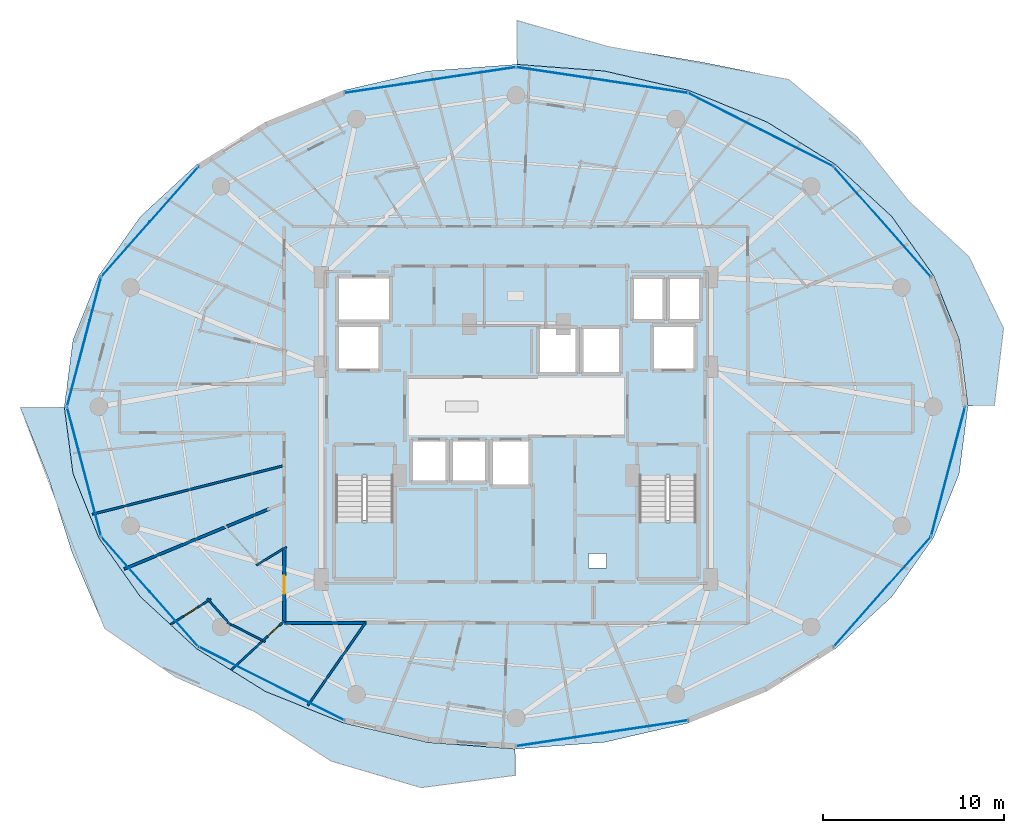
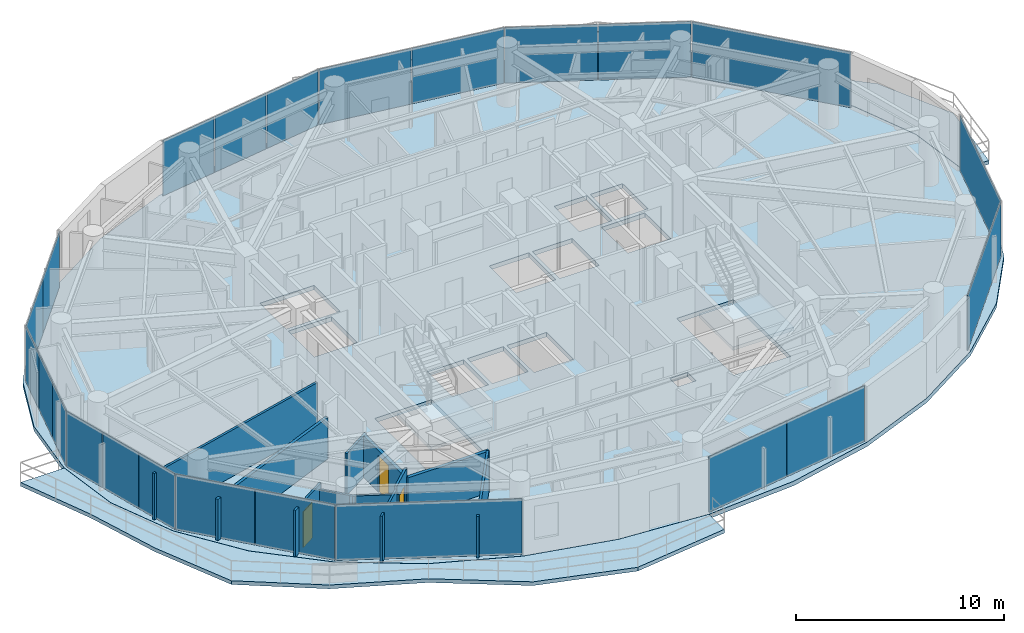
# One storey, part 19 of 28: 23 plates, 11 walls, 5 slabs, 3 doors, 3 openings, 6 elements without a shape of their own.
"""IFC4 building model written with IfcOpenShell, lengths in metres."""

from ifc_helpers import new_model, si_unit, direction, frame, frame_2d, origin, origin_2d, place, context, subcontext, project, spatial, polyline, rectangle, outline, extrude, material, layer, layer_set, type_object, element, fill, aggregate, save


model = new_model("IFC4")

# Units and contexts
model_context = context("Model", 3, precision=1e-05, world=origin(), true_north=direction((0.0, 1.0)))
body_context = subcontext(model_context, "Body", "Model", "MODEL_VIEW")
ifc_project = project(units=[si_unit("LENGTHUNIT", "METRE"), si_unit("AREAUNIT", "SQUARE_METRE"), si_unit("VOLUMEUNIT", "CUBIC_METRE"), si_unit("PLANEANGLEUNIT", "RADIAN"), si_unit("MASSUNIT", "GRAM", prefix="KILO")], contexts=[model_context])

# Site, building, storey
site_placement = place(None, origin())
site = spatial("IfcSite", under=ifc_project, at=site_placement, CompositionType="ELEMENT")
building_placement = place(site_placement, origin())
building = spatial("IfcBuilding", under=site, at=building_placement, Name="Vorneva Point Tower", CompositionType="ELEMENT")
storey_placement = place(building_placement, frame((0.0, 0.0, 139.60009765625)))
storey = spatial("IfcBuildingStorey", under=building, at=storey_placement, Name="L37", CompositionType="ELEMENT", Elevation=139.60009765625)

# Curtain wall, plates
ifc_material_1 = material(Name="Pale anodised aluminium", Category="aluminium")
curtain_wall_type = type_object("IfcCurtainWallType", Name="CW-RES-SYS", PredefinedType="NOTDEFINED", material=ifc_material_1)
curtain_wall_1_placement = place(storey_placement, origin())
curtain_wall_1 = element("IfcCurtainWall", 1, at=curtain_wall_1_placement, inside=storey, type_object=curtain_wall_type, Name="L37 Unitised Curtain Wall CW-L37-R01", PredefinedType="NOTDEFINED")
ifc_material_2 = material(Name="Double low-e laminated glass IGU", Category="glass")
ifc_layer_1 = layer(ifc_material_2, 0.035888671875)
ifc_layer_set_1 = layer_set([ifc_layer_1], Name="Double low-e laminated glass IGU")
plate_type = type_object("IfcPlateType", Name="CW-PNL-VIS", PredefinedType="CURTAIN_PANEL", material=ifc_layer_set_1)
plate_1_placement = place(storey_placement, frame((58.22412109375, 36.216796875, -0.02001953125), z_axis=(0.0, 0.0, 1.0), x_axis=(-0.662214727207, 0.749314123095, 0.0)))
plate_1 = element("IfcPlate", 2, at=plate_1_placement, type_object=plate_type, Name="CW-L37-R01 Glazed Panel 01", PredefinedType="CURTAIN_PANEL", context=body_context, shape_type="SweptSolid", body=[
    extrude(rectangle(XDim=8.068115234375, YDim=0.035888671875, at=origin_2d()), origin(), (0.0, 0.0, 1.0), 3.280029296875),
])
plate_2_placement = place(storey_placement, frame((53.52490234375, 40.2744140625, -0.02001953125), z_axis=(0.0, 0.0, 1.0), x_axis=(-0.892577949019, 0.450893119182, 0.0)))
plate_2 = element("IfcPlate", 3, at=plate_2_placement, type_object=plate_type, Name="CW-L37-R01 Glazed Panel 02A", PredefinedType="CURTAIN_PANEL", context=body_context, shape_type="SweptSolid", body=[
    extrude(rectangle(XDim=4.45703125, YDim=0.035888671875, at=origin_2d()), origin(), (0.0, 0.0, 1.0), 3.280029296875),
])
plate_3_placement = place(storey_placement, frame((49.501953125, 42.306640625, -0.02001953125), z_axis=(0.0, 0.0, 1.0), x_axis=(-0.892577949019, 0.450893119182, 0.0)))
plate_3 = element("IfcPlate", 4, at=plate_3_placement, type_object=plate_type, Name="CW-L37-R01 Glazed Panel 02B", PredefinedType="CURTAIN_PANEL", context=body_context, shape_type="SweptSolid", body=[
    extrude(rectangle(XDim=4.45703125, YDim=0.035888671875, at=origin_2d()), origin(), (0.0, 0.0, 1.0), 3.280029296875),
])
plate_4_placement = place(storey_placement, frame((45.117919921875, 43.679443359375, -0.02001953125), z_axis=(0.0, 0.0, 1.0), x_axis=(-0.988878712919, 0.148724211669, 0.0)))
plate_4 = element("IfcPlate", 5, at=plate_4_placement, type_object=plate_type, Name="CW-L37-R01 Glazed Panel 03A", PredefinedType="CURTAIN_PANEL", context=body_context, shape_type="SweptSolid", body=[
    extrude(rectangle(XDim=4.74853515625, YDim=0.035888671875, at=origin_2d()), origin(), (0.0, 0.0, 1.0), 3.280029296875),
])
plate_5_placement = place(storey_placement, frame((40.37255859375, 44.393310546875, -0.02001953125), z_axis=(0.0, 0.0, 1.0), x_axis=(-0.988878712919, 0.148724211669, 0.0)))
plate_5 = element("IfcPlate", 6, at=plate_5_placement, type_object=plate_type, Name="CW-L37-R01 Glazed Panel 03B", PredefinedType="CURTAIN_PANEL", context=body_context, shape_type="SweptSolid", body=[
    extrude(rectangle(XDim=4.74853515625, YDim=0.035888671875, at=origin_2d()), origin(), (0.0, 0.0, 1.0), 3.280029296875),
])
plate_6_placement = place(storey_placement, frame((36.418212890625, 44.51220703125, -0.02001953125), z_axis=(0.0, 0.0, 1.0), x_axis=(-0.988878712919, -0.148724211669, 0.0)))
plate_6 = element("IfcPlate", 7, at=plate_6_placement, type_object=plate_type, Name="CW-L37-R01 Glazed Panel 04A", PredefinedType="CURTAIN_PANEL", context=body_context, shape_type="SweptSolid", body=[
    extrude(rectangle(XDim=3.149169921875, YDim=0.035888671875, at=origin_2d()), origin(), (0.0, 0.0, 1.0), 3.280029296875),
])
plate_7_placement = place(storey_placement, frame((33.2548828125, 44.036376953125, -0.02001953125), z_axis=(0.0, 0.0, 1.0), x_axis=(-0.988878712919, -0.148724211669, 0.0)))
plate_7 = element("IfcPlate", 8, at=plate_7_placement, type_object=plate_type, Name="CW-L37-R01 Glazed Panel 04B", PredefinedType="CURTAIN_PANEL", context=body_context, shape_type="SweptSolid", body=[
    extrude(rectangle(XDim=3.149169921875, YDim=0.035888671875, at=origin_2d()), origin(), (0.0, 0.0, 1.0), 3.280029296875),
])
plate_8_placement = place(storey_placement, frame((30.09130859375, 43.560546875, -0.02001953125), z_axis=(0.0, 0.0, 1.0), x_axis=(-0.988878712919, -0.148724211669, 0.0)))
plate_8 = element("IfcPlate", 9, at=plate_8_placement, type_object=plate_type, Name="CW-L37-R01 Glazed Panel 04C", PredefinedType="CURTAIN_PANEL", context=body_context, shape_type="SweptSolid", body=[
    extrude(rectangle(XDim=3.149169921875, YDim=0.035888671875, at=origin_2d()), origin(), (0.0, 0.0, 1.0), 3.280029296875),
])
aggregate(curtain_wall_1, [plate_1, plate_2, plate_3, plate_4, plate_5, plate_6, plate_7, plate_8])

curtain_wall_2_placement = place(storey_placement, origin())
curtain_wall_2 = element("IfcCurtainWall", 10, at=curtain_wall_2_placement, inside=storey, type_object=curtain_wall_type, Name="L37 Unitised Curtain Wall CW-L37-R02", PredefinedType="NOTDEFINED")
plate_9_placement = place(storey_placement, frame((19.119873046875, 37.737548828125, -0.02001953125), z_axis=(0.0, 0.0, 1.0), x_axis=(-0.662214727207, -0.749314123095, 0.0)))
plate_9 = element("IfcPlate", 11, at=plate_9_placement, type_object=plate_type, Name="CW-L37-R02 Glazed Panel 01A", PredefinedType="CURTAIN_PANEL", context=body_context, shape_type="SweptSolid", body=[
    extrude(rectangle(XDim=4.009033203125, YDim=0.035888671875, at=origin_2d()), origin(), (0.0, 0.0, 1.0), 3.280029296875),
])
plate_10_placement = place(storey_placement, frame((16.431884765625, 34.696044921875, -0.02001953125), z_axis=(0.0, 0.0, 1.0), x_axis=(-0.662214727207, -0.749314123095, 0.0)))
plate_10 = element("IfcPlate", 12, at=plate_10_placement, type_object=plate_type, Name="CW-L37-R02 Glazed Panel 01B", PredefinedType="CURTAIN_PANEL", context=body_context, shape_type="SweptSolid", body=[
    extrude(rectangle(XDim=4.009033203125, YDim=0.035888671875, at=origin_2d()), origin(), (0.0, 0.0, 1.0), 3.280029296875),
])
plate_11_placement = place(storey_placement, frame((14.773193359375, 31.9794921875, -0.02001953125), z_axis=(0.0, 0.0, 1.0), x_axis=(-0.254433162972, -0.967090360608, 0.0)))
plate_11 = element("IfcPlate", 13, at=plate_11_placement, type_object=plate_type, Name="CW-L37-R02 Glazed Panel 02A", PredefinedType="CURTAIN_PANEL", context=body_context, shape_type="SweptSolid", body=[
    extrude(rectangle(XDim=2.423095703125, YDim=0.035888671875, at=origin_2d()), origin(), (0.0, 0.0, 1.0), 3.280029296875),
])
plate_12_placement = place(storey_placement, frame((14.143798828125, 29.587646484375, -0.02001953125), z_axis=(0.0, 0.0, 1.0), x_axis=(-0.254433162972, -0.967090360608, 0.0)))
plate_12 = element("IfcPlate", 14, at=plate_12_placement, type_object=plate_type, Name="CW-L37-R02 Glazed Panel 02B", PredefinedType="CURTAIN_PANEL", context=body_context, shape_type="SweptSolid", body=[
    extrude(rectangle(XDim=2.423095703125, YDim=0.035888671875, at=origin_2d()), origin(), (0.0, 0.0, 1.0), 3.280029296875),
])
plate_13_placement = place(storey_placement, frame((13.5146484375, 27.19580078125, -0.02001953125), z_axis=(0.0, 0.0, 1.0), x_axis=(-0.254433162972, -0.967090360608, 0.0)))
plate_13 = element("IfcPlate", 15, at=plate_13_placement, type_object=plate_type, Name="CW-L37-R02 Glazed Panel 02C", PredefinedType="CURTAIN_PANEL", context=body_context, shape_type="SweptSolid", body=[
    extrude(rectangle(XDim=2.423095703125, YDim=0.035888671875, at=origin_2d()), origin(), (0.0, 0.0, 1.0), 3.280029296875),
])
plate_14_placement = place(storey_placement, frame((13.5146484375, 24.80419921875, -0.02001953125), z_axis=(0.0, 0.0, 1.0), x_axis=(0.254433162972, -0.967090360608, 0.0)))
plate_14 = element("IfcPlate", 16, at=plate_14_placement, type_object=plate_type, Name="CW-L37-R02 Glazed Panel 03A", PredefinedType="CURTAIN_PANEL", context=body_context, shape_type="SweptSolid", body=[
    extrude(rectangle(XDim=2.423095703125, YDim=0.035888671875, at=origin_2d()), origin(), (0.0, 0.0, 1.0), 3.280029296875),
])
plate_15_placement = place(storey_placement, frame((14.143798828125, 22.412353515625, -0.02001953125), z_axis=(0.0, 0.0, 1.0), x_axis=(0.254433162972, -0.967090360608, 0.0)))
plate_15 = element("IfcPlate", 17, at=plate_15_placement, type_object=plate_type, Name="CW-L37-R02 Glazed Panel 03B", PredefinedType="CURTAIN_PANEL", context=body_context, shape_type="SweptSolid", body=[
    extrude(rectangle(XDim=2.423095703125, YDim=0.035888671875, at=origin_2d()), origin(), (0.0, 0.0, 1.0), 3.280029296875),
])
plate_16_placement = place(storey_placement, frame((14.773193359375, 20.0205078125, -0.02001953125), z_axis=(0.0, 0.0, 1.0), x_axis=(0.254433162972, -0.967090360608, 0.0)))
plate_16 = element("IfcPlate", 18, at=plate_16_placement, type_object=plate_type, Name="CW-L37-R02 Glazed Panel 03C", PredefinedType="CURTAIN_PANEL", context=body_context, shape_type="SweptSolid", body=[
    extrude(rectangle(XDim=2.423095703125, YDim=0.035888671875, at=origin_2d()), origin(), (0.0, 0.0, 1.0), 3.280029296875),
])
plate_17_placement = place(storey_placement, frame((16.431884765625, 17.303955078125, -0.02001953125), z_axis=(0.0, 0.0, 1.0), x_axis=(0.662214727207, -0.749314123095, 0.0)))
plate_17 = element("IfcPlate", 19, at=plate_17_placement, type_object=plate_type, Name="CW-L37-R02 Glazed Panel 04A", PredefinedType="CURTAIN_PANEL", context=body_context, shape_type="SweptSolid", body=[
    extrude(rectangle(XDim=4.009033203125, YDim=0.035888671875, at=origin_2d()), origin(), (0.0, 0.0, 1.0), 3.280029296875),
])
plate_18_placement = place(storey_placement, frame((19.119873046875, 14.262451171875, -0.02001953125), z_axis=(0.0, 0.0, 1.0), x_axis=(0.662214727207, -0.749314123095, 0.0)))
plate_18 = element("IfcPlate", 20, at=plate_18_placement, type_object=plate_type, Name="CW-L37-R02 Glazed Panel 04B", PredefinedType="CURTAIN_PANEL", context=body_context, shape_type="SweptSolid", body=[
    extrude(rectangle(XDim=4.009033203125, YDim=0.035888671875, at=origin_2d()), origin(), (0.0, 0.0, 1.0), 3.280029296875),
])
plate_19_placement = place(storey_placement, frame((24.486572265625, 10.70947265625, -0.02001953125), z_axis=(0.0, 0.0, 1.0), x_axis=(0.892577949019, -0.450893119182, 0.0)))
plate_19 = element("IfcPlate", 21, at=plate_19_placement, type_object=plate_type, Name="CW-L37-R02 Glazed Panel 05", PredefinedType="CURTAIN_PANEL", context=body_context, shape_type="SweptSolid", body=[
    extrude(rectangle(XDim=8.964111328125, YDim=0.035888671875, at=origin_2d()), origin(), (0.0, 0.0, 1.0), 3.280029296875),
])
aggregate(curtain_wall_2, [plate_9, plate_10, plate_11, plate_12, plate_13, plate_14, plate_15, plate_16, plate_17, plate_18, plate_19])

curtain_wall_3_placement = place(storey_placement, origin())
curtain_wall_3 = element("IfcCurtainWall", 22, at=curtain_wall_3_placement, inside=storey, type_object=curtain_wall_type, Name="L37 Unitised Curtain Wall CW-L37-R03", PredefinedType="NOTDEFINED")
plate_20_placement = place(storey_placement, frame((40.37255859375, 7.606689453125, -0.02001953125), z_axis=(0.0, 0.0, 1.0), x_axis=(0.988878712919, 0.148724211669, 0.0)))
plate_20 = element("IfcPlate", 23, at=plate_20_placement, type_object=plate_type, Name="CW-L37-R03 Glazed Panel 01A", PredefinedType="CURTAIN_PANEL", context=body_context, shape_type="SweptSolid", body=[
    extrude(rectangle(XDim=4.74853515625, YDim=0.035888671875, at=origin_2d()), origin(), (0.0, 0.0, 1.0), 3.280029296875),
])
plate_21_placement = place(storey_placement, frame((45.117919921875, 8.320556640625, -0.02001953125), z_axis=(0.0, 0.0, 1.0), x_axis=(0.988878712919, 0.148724211669, 0.0)))
plate_21 = element("IfcPlate", 24, at=plate_21_placement, type_object=plate_type, Name="CW-L37-R03 Glazed Panel 01B", PredefinedType="CURTAIN_PANEL", context=body_context, shape_type="SweptSolid", body=[
    extrude(rectangle(XDim=4.74853515625, YDim=0.035888671875, at=origin_2d()), origin(), (0.0, 0.0, 1.0), 3.280029296875),
])
aggregate(curtain_wall_3, [plate_20, plate_21])

curtain_wall_4_placement = place(storey_placement, origin())
curtain_wall_4 = element("IfcCurtainWall", 25, at=curtain_wall_4_placement, inside=storey, type_object=curtain_wall_type, Name="L37 Unitised Curtain Wall CW-L37-R04", PredefinedType="NOTDEFINED")
plate_22_placement = place(storey_placement, frame((58.22412109375, 15.783203125, -0.02001953125), z_axis=(0.0, 0.0, 1.0), x_axis=(0.662214727207, 0.749314123095, 0.0)))
plate_22 = element("IfcPlate", 26, at=plate_22_placement, type_object=plate_type, Name="CW-L37-R04 Glazed Panel 01", PredefinedType="CURTAIN_PANEL", context=body_context, shape_type="SweptSolid", body=[
    extrude(rectangle(XDim=8.068115234375, YDim=0.035888671875, at=origin_2d()), origin(), (0.0, 0.0, 1.0), 3.280029296875),
])
plate_23_placement = place(storey_placement, frame((61.856201171875, 22.412353515625, -0.02001953125), z_axis=(0.0, 0.0, 1.0), x_axis=(0.254433162972, 0.967090360608, 0.0)))
plate_23 = element("IfcPlate", 27, at=plate_23_placement, type_object=plate_type, Name="CW-L37-R04 Glazed Panel 02", PredefinedType="CURTAIN_PANEL", context=body_context, shape_type="SweptSolid", body=[
    extrude(rectangle(XDim=7.369384765625, YDim=0.035888671875, at=origin_2d()), origin(), (0.0, 0.0, 1.0), 3.280029296875),
])
aggregate(curtain_wall_4, [plate_22, plate_23])

# Slabs
ifc_material_3 = material(Name="Concrete B50 (C40/50)", Category="concrete")
ifc_layer_2 = layer(ifc_material_3, 0.219970703125)
ifc_layer_set_2 = layer_set([ifc_layer_2], Name="Concrete B50 (C40/50)")
slab_type_1 = type_object("IfcSlabType", Name="SLB-BAL-220", PredefinedType="FLOOR", material=ifc_layer_set_2)
slab_1_placement = place(storey_placement, frame((0.0, 0.0, -0.22021484375)))
element("IfcSlab", 28, at=slab_1_placement, inside=storey, type_object=slab_type_1, Name="L37 Cantilevered Wave Balcony NE", PredefinedType="FLOOR", context=body_context, shape_type="SweptSolid", body=[
    extrude(outline(polyline([(38.050048828125, 47.33056640625), (38.050048828125, 44.900390625), (42.867919921875, 44.540771484375), (42.8681640625, 44.540771484375), (42.868408203125, 44.540771484375), (47.548828125, 43.465087890625), (47.54931640625, 43.465087890625), (47.549560546875, 43.465087890625), (51.863037109375, 41.718505859375), (51.86328125, 41.718505859375), (51.863525390625, 41.71826171875), (55.644287109375, 39.36767578125), (55.644775390625, 39.367431640625), (55.64501953125, 39.3671875), (58.747802734375, 36.503173828125), (58.748291015625, 36.5029296875), (58.74853515625, 36.502685546875), (61.05419921875, 33.235107421875), (61.05419921875, 33.234619140625), (61.054443359375, 33.234130859375), (62.474365234375, 29.688720703125), (62.474365234375, 29.6884765625), (62.474609375, 29.68798828125), (62.474609375, 29.687744140625), (62.947509765625, 26.050048828125), (64.410888671875, 26.050048828125), (64.919677734375, 30.330322265625), (62.996826171875, 34.296875), (59.692626953125, 37.336181640625), (56.81982421875, 40.918701171875), (53.052001953125, 44.067138671875), (48.051513671875, 45.06640625), (43.0712890625, 45.889404296875), (38.050048828125, 47.33056640625)])), origin(), (0.0, 0.0, 1.0), 0.22021484375),
])
slab_2_placement = place(storey_placement, frame((0.0, 0.0, -0.22021484375)))
element("IfcSlab", 29, at=slab_2_placement, inside=storey, type_object=slab_type_1, Name="L37 Cantilevered Wave Balcony SW", PredefinedType="FLOOR", context=body_context, shape_type="SweptSolid", body=[
    extrude(outline(polyline([(37.949951171875, 5.638427734375), (37.949951171875, 7.099609375), (33.132080078125, 7.459228515625), (33.1318359375, 7.459228515625), (33.131591796875, 7.459228515625), (28.451171875, 8.534912109375), (28.45068359375, 8.534912109375), (28.450439453125, 8.534912109375), (24.136962890625, 10.281494140625), (24.13671875, 10.281494140625), (24.136474609375, 10.28173828125), (20.355712890625, 12.63232421875), (20.355224609375, 12.632568359375), (20.35498046875, 12.6328125), (17.252197265625, 15.496826171875), (17.251708984375, 15.4970703125), (17.25146484375, 15.497314453125), (14.94580078125, 18.764892578125), (14.94580078125, 18.765380859375), (14.945556640625, 18.765869140625), (13.525634765625, 22.311279296875), (13.525634765625, 22.3115234375), (13.525390625, 22.31201171875), (13.525390625, 22.312255859375), (13.052490234375, 25.949951171875), (10.624755859375, 25.949951171875), (12.206298828125, 21.96533203125), (13.473388671875, 17.960205078125), (15.277587890625, 13.755615234375), (19.18017578125, 11.081298828125), (23.56787109375, 9.157958984375), (27.7880859375, 6.422607421875), (32.755126953125, 4.95947265625), (37.949951171875, 5.638427734375)])), origin(), (0.0, 0.0, 1.0), 0.22021484375),
])

# Stair, slab
stair_type = type_object("IfcStairType", Name="ST-DOG-1500", PredefinedType="HALF_TURN_STAIR", material=ifc_material_3)
stair_1_placement = place(storey_placement, origin())
stair_1 = element("IfcStair", 30, at=stair_1_placement, inside=storey, type_object=stair_type, Name="L37 ST1", PredefinedType="HALF_TURN_STAIR")
ifc_layer_3 = layer(ifc_material_3, 0.199951171875)
ifc_layer_set_3 = layer_set([ifc_layer_3], Name="Concrete B50 (C40/50)")
slab_type_2 = type_object("IfcSlabType", Name="SLB-LND-200", PredefinedType="LANDING", material=ifc_layer_set_3)
slab_3_placement = place(storey_placement, frame((0.0, 0.0, 1.5498046875)))
slab_3 = element("IfcSlab", 31, at=slab_3_placement, type_object=slab_type_2, Name="ST1 landing 1", PredefinedType="LANDING", context=body_context, shape_type="SweptSolid", body=[
    extrude(outline(polyline([(27.929931640625, 16.47998046875), (31.320068359375, 16.47998046875), (31.320068359375, 19.72998046875), (27.929931640625, 19.72998046875), (27.929931640625, 16.47998046875)])), origin(), (0.0, 0.0, 1.0), 0.2001953125),
])
aggregate(stair_1, [slab_3])

stair_2_placement = place(storey_placement, origin())
stair_2 = element("IfcStair", 32, at=stair_2_placement, inside=storey, type_object=stair_type, Name="L37 ST2", PredefinedType="HALF_TURN_STAIR")
slab_4_placement = place(storey_placement, frame((0.0, 0.0, 1.5498046875)))
slab_4 = element("IfcSlab", 33, at=slab_4_placement, type_object=slab_type_2, Name="ST2 landing 1", PredefinedType="LANDING", context=body_context, shape_type="SweptSolid", body=[
    extrude(outline(polyline([(44.679931640625, 16.47998046875), (48.070068359375, 16.47998046875), (48.070068359375, 19.72998046875), (44.679931640625, 19.72998046875), (44.679931640625, 16.47998046875)])), origin(), (0.0, 0.0, 1.0), 0.2001953125),
])
aggregate(stair_2, [slab_4])

# Slab
ifc_layer_4 = layer(ifc_material_3, 0.260009765625)
ifc_layer_set_4 = layer_set([ifc_layer_4], Name="Concrete B50 (C40/50)")
slab_type_3 = type_object("IfcSlabType", Name="SLB-TYP-260", PredefinedType="FLOOR", material=ifc_layer_set_4)
slab_5_placement = place(storey_placement, frame((0.0, 0.0, -0.260009765625)))
element("IfcSlab", 34, at=slab_5_placement, inside=storey, type_object=slab_type_3, Name="L37 Structural Floor Plate", PredefinedType="FLOOR", context=body_context, shape_type="SweptSolid", body=[
    extrude(outline(polyline([(62.949951171875, 26.0), (62.470703125, 29.687255859375), (61.05078125, 33.232666015625), (58.7451171875, 36.500244140625), (55.642333984375, 39.3642578125), (51.861572265625, 41.71484375), (47.548095703125, 43.461181640625), (42.867431640625, 44.536865234375), (38.0, 44.89990234375), (33.132568359375, 44.536865234375), (28.451904296875, 43.461181640625), (24.138427734375, 41.71484375), (20.357666015625, 39.3642578125), (17.2548828125, 36.500244140625), (14.94921875, 33.232666015625), (13.529296875, 29.687255859375), (13.050048828125, 26.0), (13.529296875, 22.312744140625), (14.94921875, 18.767333984375), (17.2548828125, 15.499755859375), (20.357666015625, 12.6357421875), (24.138427734375, 10.28515625), (28.451904296875, 8.538818359375), (33.132568359375, 7.463134765625), (38.0, 7.10009765625), (42.867431640625, 7.463134765625), (47.548095703125, 8.538818359375), (51.861572265625, 10.28515625), (55.642333984375, 12.6357421875), (58.7451171875, 15.499755859375), (61.05078125, 18.767333984375), (62.470703125, 22.312744140625), (62.949951171875, 26.0)]), holes=[polyline([(32.199951171875, 21.800048828125), (34.199951171875, 21.800048828125), (34.199951171875, 24.199951171875), (32.199951171875, 24.199951171875), (32.199951171875, 21.800048828125)]), polyline([(34.39990234375, 21.800048828125), (36.39990234375, 21.800048828125), (36.39990234375, 24.199951171875), (34.39990234375, 24.199951171875), (34.39990234375, 21.800048828125)]), polyline([(36.60009765625, 21.60009765625), (38.800048828125, 21.60009765625), (38.800048828125, 24.199951171875), (36.60009765625, 24.199951171875), (36.60009765625, 21.60009765625)]), polyline([(39.199951171875, 27.800048828125), (41.39990234375, 27.800048828125), (41.39990234375, 30.39990234375), (39.199951171875, 30.39990234375), (39.199951171875, 27.800048828125)]), polyline([(41.60009765625, 27.800048828125), (43.800048828125, 27.800048828125), (43.800048828125, 30.39990234375), (41.60009765625, 30.39990234375), (41.60009765625, 27.800048828125)]), polyline([(44.39990234375, 30.739990234375), (46.199951171875, 30.739990234375), (46.199951171875, 33.159912109375), (44.39990234375, 33.159912109375), (44.39990234375, 30.739990234375)]), polyline([(46.39990234375, 30.739990234375), (48.199951171875, 30.739990234375), (48.199951171875, 33.159912109375), (46.39990234375, 33.159912109375), (46.39990234375, 30.739990234375)]), polyline([(28.10009765625, 28.0), (30.5, 28.0), (30.5, 30.5), (28.10009765625, 30.5), (28.10009765625, 28.0)]), polyline([(45.5, 28.0), (47.89990234375, 28.0), (47.89990234375, 30.5), (45.5, 30.5), (45.5, 28.0)]), polyline([(28.10009765625, 30.699951171875), (31.10009765625, 30.699951171875), (31.10009765625, 33.199951171875), (28.10009765625, 33.199951171875), (28.10009765625, 30.699951171875)]), polyline([(28.050048828125, 16.60009765625), (31.199951171875, 16.60009765625), (31.199951171875, 22.080078125), (28.050048828125, 22.080078125), (28.050048828125, 16.60009765625)]), polyline([(44.800048828125, 16.60009765625), (47.949951171875, 16.60009765625), (47.949951171875, 22.080078125), (44.800048828125, 22.080078125), (44.800048828125, 16.60009765625)]), polyline([(42.0, 17.10009765625), (43.0, 17.10009765625), (43.0, 17.89990234375), (42.0, 17.89990234375), (42.0, 17.10009765625)])]), origin(), (0.0, 0.0, 1.0), 0.260009765625),
])

# Walls
ifc_material_4 = material(Name="Fire-rated acoustic gypsum stud partition", Category="gypsum")
ifc_layer_5 = layer(ifc_material_4, 0.110107421875)
ifc_layer_set_5 = layer_set([ifc_layer_5], Name="Fire-rated acoustic gypsum stud partition")
wall_type_1 = type_object("IfcWallType", Name="WL-PART-110", PredefinedType="PARTITIONING", material=ifc_layer_set_5)
wall_1_placement = place(storey_placement, frame((25.319580078125, 18.257080078125, 0.0), z_axis=(0.0, 0.0, 1.0), x_axis=(-0.853368681548, -0.52130786811, 0.0)))
element("IfcWall", 35, at=wall_1_placement, inside=storey, type_object=wall_type_1, Name="L37 Interior Partition 117", PredefinedType="PARTITIONING", context=body_context, shape_type="SweptSolid", body=[
    extrude(rectangle(XDim=1.9453125, YDim=0.110107421875, at=frame_2d((0.97265625, 0.0))), origin(), (0.0, 0.0, 1.0), 2.431884765625),
])
wall_2_placement = place(storey_placement, frame((20.935302734375, 15.408935546875, 0.0), z_axis=(0.0, 0.0, 1.0), x_axis=(0.66216897397, -0.749354555542, 0.0)))
element("IfcWall", 36, at=wall_2_placement, inside=storey, type_object=wall_type_1, Name="L37 Interior Partition 119", PredefinedType="PARTITIONING", context=body_context, shape_type="SweptSolid", body=[
    extrude(rectangle(XDim=1.990966796875, YDim=0.110107421875, at=frame_2d((0.99560546875, 0.0))), origin(), (0.0, 0.0, 1.0), 2.431884765625),
])
wall_3_placement = place(storey_placement, frame((22.0361328125, 14.085205078125, 0.0), z_axis=(0.0, 0.0, 1.0), x_axis=(0.892312874209, -0.451417472548, 0.0)))
element("IfcWall", 37, at=wall_3_placement, inside=storey, type_object=wall_type_1, Name="L37 Interior Partition 120", PredefinedType="PARTITIONING", context=body_context, shape_type="SweptSolid", body=[
    extrude(rectangle(XDim=2.36669921875, YDim=0.110107421875, at=frame_2d((1.183349609375, 0.0))), origin(), (0.0, 0.0, 1.0), 2.431884765625),
])

# Wall, opening, door
wall_4_placement = place(storey_placement, frame((18.924560546875, 13.978515625, 0.0), z_axis=(0.0, 0.0, 1.0), x_axis=(0.846034075758, 0.533128823697, 0.0)))
wall_4 = element("IfcWall", 38, at=wall_4_placement, inside=storey, type_object=wall_type_1, Name="L37 Interior Partition 121", PredefinedType="PARTITIONING", context=body_context, shape_type="SweptSolid", body=[
    extrude(rectangle(XDim=2.626220703125, YDim=0.110107421875, at=frame_2d((1.31298828125, 0.0))), origin(), (0.0, 0.0, 1.0), 2.727783203125),
])
opening_1_placement = place(wall_4_placement, frame((0.863037109375, 0.0, 0.0)))
opening_1 = element("IfcOpeningElement", 39, at=opening_1_placement, cuts=wall_4, Name="Opening ID-01", PredefinedType="OPENING", context=body_context, shape_type="SweptSolid", body=[
    extrude(rectangle(XDim=0.89990234375, YDim=2.10009765625, at=frame_2d((0.449951171875, 1.050048828125))), frame((0.0, 0.06982421875, 0.0), z_axis=(0.0, -1.0, 0.0), x_axis=(1.0, 0.0, 0.0)), (0.0, 0.0, 1.0), 0.139892578125),
])
ifc_material_5 = material(Name="Engineered oak fire-rated door leaf", Category="wood")
door_type_1 = type_object("IfcDoorType", Name="DR-ROOM-900", OperationType="NOTDEFINED", PredefinedType="DOOR", material=ifc_material_5)
door_1_placement = place(opening_1_placement, origin())
door_1 = element("IfcDoor", 40, at=door_1_placement, inside=storey, type_object=door_type_1, Name="L37 Door Living and Dining Room L37-05 / Kitchen L37-05", OperationType="SINGLE_SWING_RIGHT", OverallHeight=2.10009765625, OverallWidth=0.89990234375, PredefinedType="DOOR", context=body_context, shape_type="SweptSolid", body=[
    extrude(rectangle(XDim=0.89990234375, YDim=2.10009765625, at=frame_2d((0.449951171875, 1.050048828125))), frame((0.0, 0.02490234375, 0.0), z_axis=(0.0, -1.0, 0.0), x_axis=(1.0, 0.0, 0.0)), (0.0, 0.0, 1.0), 0.050048828125),
])
fill(opening_1, door_1)

# Walls
wall_5_placement = place(storey_placement, frame((22.273193359375, 11.462890625, 0.0), z_axis=(0.0, 0.0, 1.0), x_axis=(0.73438401738, 0.678734200565, 0.0)))
element("IfcWall", 41, at=wall_5_placement, inside=storey, type_object=wall_type_1, Name="L37 Interior Partition 123", PredefinedType="PARTITIONING", context=body_context, shape_type="SweptSolid", body=[
    extrude(rectangle(XDim=2.5224609375, YDim=0.110107421875, at=frame_2d((1.26123046875, 0.0))), origin(), (0.0, 0.0, 1.0), 2.727783203125),
])
ifc_layer_6 = layer(ifc_material_4, 0.125)
ifc_layer_set_6 = layer_set([ifc_layer_6], Name="Fire-rated acoustic gypsum stud partition")
wall_type_2 = type_object("IfcWallType", Name="WL-PART-125", PredefinedType="PARTITIONING", material=ifc_layer_set_6)
wall_6_placement = place(storey_placement, frame((14.594970703125, 20.055908203125, 0.0), z_axis=(0.0, 0.0, 1.0), x_axis=(0.969235416515, 0.246135546747, 0.0)))
element("IfcWall", 42, at=wall_6_placement, inside=storey, type_object=wall_type_2, Name="L37 Interior Partition 114", PredefinedType="PARTITIONING", context=body_context, shape_type="SweptSolid", body=[
    extrude(rectangle(XDim=10.941650390625, YDim=0.125, at=frame_2d((5.470703125, 0.0))), origin(), (0.0, 0.0, 1.0), 2.727783203125),
])

# Wall, opening, door
wall_7_placement = place(storey_placement, frame((24.02294921875, 13.080078125, 0.0), z_axis=(0.0, 0.0, 1.0), x_axis=(0.734359451791, 0.678760779336, 0.0)))
wall_7 = element("IfcWall", 43, at=wall_7_placement, inside=storey, type_object=wall_type_2, Name="L37 Interior Partition 122", PredefinedType="PARTITIONING", context=body_context, shape_type="SweptSolid", body=[
    extrude(rectangle(XDim=1.602783203125, YDim=0.125, at=frame_2d((0.80126953125, 0.0))), origin(), (0.0, 0.0, 1.0), 2.921875),
])
opening_2_placement = place(wall_7_placement, frame((0.351318359375, 0.0, 0.0)))
opening_2 = element("IfcOpeningElement", 44, at=opening_2_placement, cuts=wall_7, Name="Opening ID-01", PredefinedType="OPENING", context=body_context, shape_type="SweptSolid", body=[
    extrude(rectangle(XDim=0.89990234375, YDim=2.10009765625, at=frame_2d((0.449951171875, 1.050048828125))), frame((0.0, 0.077392578125, 0.0), z_axis=(0.0, -1.0, 0.0), x_axis=(1.0, 0.0, 0.0)), (0.0, 0.0, 1.0), 0.15478515625),
])
door_2_placement = place(opening_2_placement, origin())
door_2 = element("IfcDoor", 45, at=door_2_placement, inside=storey, type_object=door_type_1, Name="L37 Door Living and Dining Room L37-05 / Master Bedroom L37-05.1", OperationType="SINGLE_SWING_LEFT", OverallHeight=2.10009765625, OverallWidth=0.89990234375, PredefinedType="DOOR", context=body_context, shape_type="SweptSolid", body=[
    extrude(rectangle(XDim=0.89990234375, YDim=2.10009765625, at=frame_2d((0.449951171875, 1.050048828125))), frame((0.0, 0.02490234375, 0.0), z_axis=(0.0, -1.0, 0.0), x_axis=(1.0, 0.0, 0.0)), (0.0, 0.0, 1.0), 0.050048828125),
])
fill(opening_2, door_2)

# Walls
wall_8_placement = place(storey_placement, frame((26.4951171875, 9.492919921875, 0.0), z_axis=(0.0, 0.0, 1.0), x_axis=(0.571744252323, 0.820431904509, 0.0)))
element("IfcWall", 46, at=wall_8_placement, inside=storey, type_object=wall_type_2, Name="L37 Interior Partition 124", PredefinedType="PARTITIONING", context=body_context, shape_type="SweptSolid", body=[
    extrude(rectangle(XDim=5.554443359375, YDim=0.125, at=frame_2d((2.77734375, 0.0))), origin(), (0.0, 0.0, 1.0), 2.431884765625),
])
ifc_layer_7 = layer(ifc_material_4, 0.159912109375)
ifc_layer_set_7 = layer_set([ifc_layer_7], Name="Fire-rated acoustic gypsum stud partition")
wall_type_3 = type_object("IfcWallType", Name="WL-PART-160", PredefinedType="PARTITIONING", material=ifc_layer_set_7)
wall_9_placement = place(storey_placement, frame((16.35498046875, 17.034912109375, 0.0), z_axis=(0.0, 0.0, 1.0), x_axis=(0.923885339237, 0.382669413387, 0.0)))
element("IfcWall", 47, at=wall_9_placement, inside=storey, type_object=wall_type_3, Name="L37 Interior Partition 115", PredefinedType="PARTITIONING", context=body_context, shape_type="SweptSolid", body=[
    extrude(rectangle(XDim=8.689453125, YDim=0.159912109375, at=frame_2d((4.3447265625, 0.0))), origin(), (0.0, 0.0, 1.0), 2.431884765625),
])

# Wall, opening, door
ifc_material_6 = material(Name="Autoclaved aerated concrete blockwork", Category="masonry")
ifc_layer_8 = layer(ifc_material_6, 0.179931640625)
ifc_layer_set_8 = layer_set([ifc_layer_8], Name="Autoclaved aerated concrete blockwork")
wall_type_4 = type_object("IfcWallType", Name="WL-PART-180", PredefinedType="PARTITIONING", material=ifc_layer_set_8)
wall_10_placement = place(storey_placement, frame((25.199951171875, 18.243896484375, 0.0), z_axis=(0.0, 0.0, 1.0), x_axis=(0.0, -1.0, 0.0)))
wall_10 = element("IfcWall", 48, at=wall_10_placement, inside=storey, type_object=wall_type_4, Name="L37 Interior Partition 054", PredefinedType="PARTITIONING", context=body_context, shape_type="SweptSolid", body=[
    extrude(rectangle(XDim=4.157958984375, YDim=0.179931640625, at=frame_2d((2.0791015625, 0.0))), origin(), (0.0, 0.0, 1.0), 2.431884765625),
])
opening_3_placement = place(wall_10_placement, frame((1.5791015625, 0.0, 0.0)))
opening_3 = element("IfcOpeningElement", 49, at=opening_3_placement, cuts=wall_10, Name="Opening UD-01", PredefinedType="OPENING", context=body_context, shape_type="SweptSolid", body=[
    extrude(rectangle(XDim=1.0, YDim=2.14990234375, at=frame_2d((0.5, 1.074951171875))), frame((0.0, 0.10498046875, 0.0), z_axis=(0.0, -1.0, 0.0), x_axis=(1.0, 0.0, 0.0)), (0.0, 0.0, 1.0), 0.209716796875),
])
door_type_2 = type_object("IfcDoorType", Name="DR-UNIT-1000", OperationType="NOTDEFINED", PredefinedType="DOOR", material=ifc_material_5)
door_3_placement = place(opening_3_placement, origin())
door_3 = element("IfcDoor", 50, at=door_3_placement, inside=storey, type_object=door_type_2, Name="L37 Door L37 Circulation Corridor / Living and Dining Room L37-05", OperationType="SINGLE_SWING_LEFT", OverallHeight=2.14990234375, OverallWidth=1.0, PredefinedType="DOOR", context=body_context, shape_type="SweptSolid", body=[
    extrude(rectangle(XDim=1.0, YDim=2.14990234375, at=frame_2d((0.5, 1.074951171875))), frame((0.0, 0.02490234375, 0.0), z_axis=(0.0, -1.0, 0.0), x_axis=(1.0, 0.0, 0.0)), (0.0, 0.0, 1.0), 0.050048828125),
])
fill(opening_3, door_3)

# Wall
wall_11_placement = place(storey_placement, frame((25.199951171875, 14.050048828125, 0.0), z_axis=(0.0, 0.0, 1.0), x_axis=(1.0, 0.0, 0.0)))
element("IfcWall", 51, at=wall_11_placement, inside=storey, type_object=wall_type_4, Name="L37 Interior Partition 056", PredefinedType="PARTITIONING", context=body_context, shape_type="SweptSolid", body=[
    extrude(rectangle(XDim=4.531005859375, YDim=0.179931640625, at=frame_2d((2.265625, 0.0))), origin(), (0.0, 0.0, 1.0), 2.431884765625),
])

save(model, "model.ifc")
